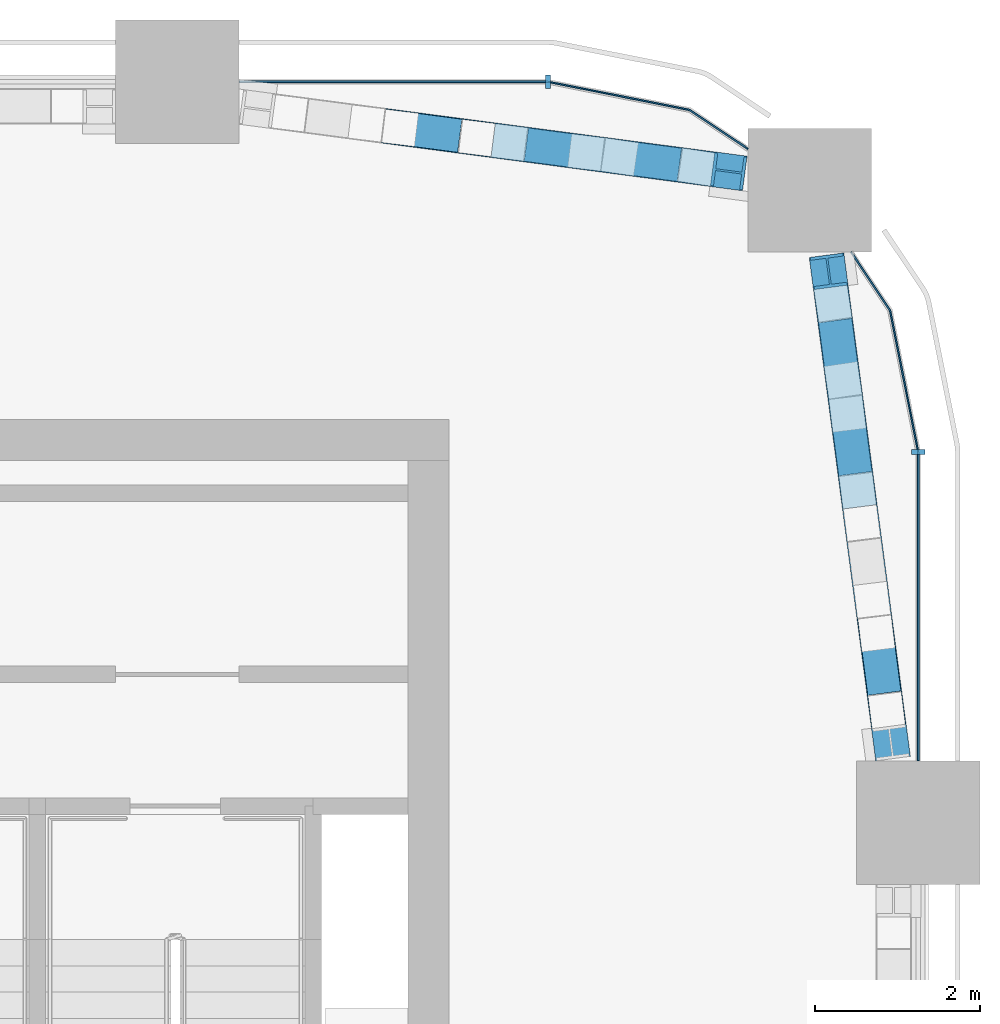
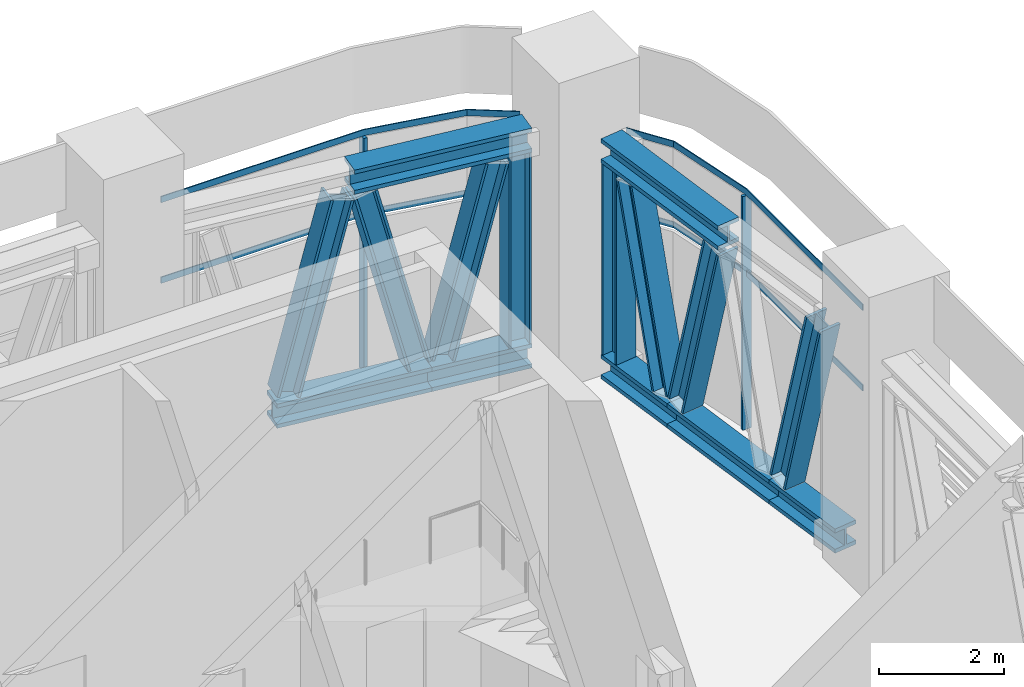
# One storey, part 7 of 19: 21 members, 2 elements without a shape of their own.
"""IFC4 building model written with IfcOpenShell, lengths in metres."""

from ifc_helpers import new_model, si_unit, direction, frame, origin, origin_2d, place, context, subcontext, project, spatial, polyline, rectangle, i_section, outline, extrude, material, material_profile, profile_set, type_object, element, aggregate, save


model = new_model("IFC4")

# Units and contexts
model_context = context("Model", 3, precision=1e-05, world=origin(), true_north=direction((0.0, 1.0)))
body_context = subcontext(model_context, "Body", "Model", "MODEL_VIEW")
ifc_project = project(units=[si_unit("LENGTHUNIT", "METRE"), si_unit("AREAUNIT", "SQUARE_METRE"), si_unit("VOLUMEUNIT", "CUBIC_METRE"), si_unit("PLANEANGLEUNIT", "RADIAN"), si_unit("MASSUNIT", "GRAM", prefix="KILO")], contexts=[model_context])

# Site, building, storey
site_placement = place(None, origin())
site = spatial("IfcSite", under=ifc_project, at=site_placement, CompositionType="ELEMENT")
building_placement = place(site_placement, origin())
building = spatial("IfcBuilding", under=site, at=building_placement, Name="Tessera Arch", CompositionType="ELEMENT")
storey_placement = place(building_placement, frame((0.0, 0.0, 197.300048828125)))
storey = spatial("IfcBuildingStorey", under=building, at=storey_placement, Name="L47", CompositionType="ELEMENT", Elevation=197.300048828125)

# Curtain wall, member
ifc_material_1 = material(Name="CW7 curtain wall")
curtain_wall_type = type_object("IfcCurtainWallType", Name="CW7 curtain wall", PredefinedType="NOTDEFINED", material=ifc_material_1)
curtain_wall_1_placement = place(storey_placement, origin())
curtain_wall_1 = element("IfcCurtainWall", 1, at=curtain_wall_1_placement, inside=storey, type_object=curtain_wall_type, Name="CW7 curtain wall E54.27/1 L47", PredefinedType="NOTDEFINED")
ifc_material_2 = material(Name="Anodised aluminium pale metal", Category="aluminium")
ifc_material_profile_1 = material_profile(ifc_material_2, rectangle(XDim=0.159912109375, YDim=0.06005859375, at=origin_2d()), Name="AL 60x160")
ifc_profile_set_1 = profile_set([ifc_material_profile_1], Name="Anodised aluminium pale metal")
member_type_1 = type_object("IfcMemberType", Name="CW7 mullion", PredefinedType="MULLION", material=ifc_profile_set_1)
member_1_placement = place(storey_placement, frame((54.0, 49.5, 0.0), z_axis=(0.0, 0.0, 1.0), x_axis=(-1.0, 0.0, 0.0)))
member_1 = element("IfcMember", 2, at=member_1_placement, type_object=member_type_1, Name="CW7 mullion E54.27/1 1", PredefinedType="MULLION", context=body_context, shape_type="SweptSolid", body=[
    extrude(rectangle(XDim=0.159912109375, YDim=0.06005859375, at=origin_2d()), origin(), (0.0, 0.0, 1.0), 4.579833984375),
])

curtain_wall_2_placement = place(storey_placement, origin())
curtain_wall_2 = element("IfcCurtainWall", 3, at=curtain_wall_2_placement, inside=storey, type_object=curtain_wall_type, Name="CW7 curtain wall N54.0/0 L47", PredefinedType="NOTDEFINED")
member_2_placement = place(storey_placement, frame((49.5, 54.0, 0.0), z_axis=(0.0, 0.0, 1.0), x_axis=(0.0, -1.0, 0.0)))
member_2 = element("IfcMember", 4, at=member_2_placement, type_object=member_type_1, Name="CW7 mullion N54.0/0 1", PredefinedType="MULLION", context=body_context, shape_type="SweptSolid", body=[
    extrude(rectangle(XDim=0.159912109375, YDim=0.06005859375, at=origin_2d()), origin(), (0.0, 0.0, 1.0), 4.579833984375),
])

# Member
ifc_material_3 = material(Name="Anodised aluminium pale metal", Category="aluminium")
ifc_material_profile_2 = material_profile(ifc_material_3, rectangle(XDim=0.159912109375, YDim=0.1201171875, at=origin_2d()), Name="AL 160x120")
ifc_profile_set_2 = profile_set([ifc_material_profile_2], Name="Anodised aluminium pale metal")
member_type_2 = type_object("IfcMemberType", Name="CW7 transom", PredefinedType="USERDEFINED", material=ifc_profile_set_2)
member_3_placement = place(storey_placement, frame((0.0, 0.0, 3.0)))
member_3 = element("IfcMember", 5, at=member_3_placement, type_object=member_type_2, Name="CW7 transom E54.27/1 1", ObjectType="TRANSOM", PredefinedType="USERDEFINED", context=body_context, shape_type="SweptSolid", body=[
    extrude(outline(polyline([(53.989990234375, 49.4990234375), (53.989990234375, 45.75), (54.010009765625, 45.75), (54.010009765625, 49.5009765625), (53.6669921875, 51.22607421875), (53.19140625, 51.9375), (53.1748046875, 51.926513671875), (53.648193359375, 51.21826171875), (53.989990234375, 49.4990234375)])), origin(), (0.0, 0.0, 1.0), 0.119873046875),
])

member_4_placement = place(storey_placement, frame((0.0, 0.0, 4.579833984375)))
member_4 = element("IfcMember", 6, at=member_4_placement, type_object=member_type_2, Name="CW7 transom E54.27/1 2", ObjectType="TRANSOM", PredefinedType="USERDEFINED", context=body_context, shape_type="SweptSolid", body=[
    extrude(outline(polyline([(53.989990234375, 49.4990234375), (53.989990234375, 45.75), (54.010009765625, 45.75), (54.010009765625, 49.5009765625), (53.6669921875, 51.22607421875), (53.19140625, 51.9375), (53.1748046875, 51.926513671875), (53.648193359375, 51.21826171875), (53.989990234375, 49.4990234375)])), origin(), (0.0, 0.0, 1.0), 0.1201171875),
])

aggregate(curtain_wall_1, [member_1, member_3, member_4])

member_5_placement = place(storey_placement, frame((0.0, 0.0, 3.0)))
member_5 = element("IfcMember", 7, at=member_5_placement, type_object=member_type_2, Name="CW7 transom N54.0/0 1", ObjectType="TRANSOM", PredefinedType="USERDEFINED", context=body_context, shape_type="SweptSolid", body=[
    extrude(outline(polyline([(51.21826171875, 53.648193359375), (51.926513671875, 53.1748046875), (51.9375, 53.19140625), (51.22607421875, 53.6669921875), (49.5009765625, 54.010009765625), (45.75, 54.010009765625), (45.75, 53.989990234375), (49.4990234375, 53.989990234375), (51.21826171875, 53.648193359375)])), origin(), (0.0, 0.0, 1.0), 0.119873046875),
])

member_6_placement = place(storey_placement, frame((0.0, 0.0, 4.579833984375)))
member_6 = element("IfcMember", 8, at=member_6_placement, type_object=member_type_2, Name="CW7 transom N54.0/0 2", ObjectType="TRANSOM", PredefinedType="USERDEFINED", context=body_context, shape_type="SweptSolid", body=[
    extrude(outline(polyline([(51.21826171875, 53.648193359375), (51.926513671875, 53.1748046875), (51.9375, 53.19140625), (51.22607421875, 53.6669921875), (49.5009765625, 54.010009765625), (45.75, 54.010009765625), (45.75, 53.989990234375), (49.4990234375, 53.989990234375), (51.21826171875, 53.648193359375)])), origin(), (0.0, 0.0, 1.0), 0.1201171875),
])

aggregate(curtain_wall_2, [member_2, member_5, member_6])

# Members
ifc_material_4 = material(Name="Steel A992 Gr50", Category="steel")
ifc_material_profile_3 = material_profile(ifc_material_4, i_section(OverallWidth=0.424072265625, OverallDepth=0.47412109375, WebThickness=0.047607421875, FlangeThickness=0.0771484375, at=origin_2d()), Name="W14x426")
ifc_profile_set_3 = profile_set([ifc_material_profile_3], Name="Steel A992 Gr50")
member_type_3 = type_object("IfcMemberType", Name="Truss chord W14x426", PredefinedType="CHORD", material=ifc_profile_set_3)
member_7_placement = place(storey_placement, frame((53.289794921875, 48.835205078125, 4.462890625), z_axis=(-0.131017644373, 0.991380036546, 0.0), x_axis=(-0.991380036546, -0.131017644373, 0.0)))
element("IfcMember", 9, at=member_7_placement, inside=storey, type_object=member_type_3, Name="Belt truss top chord 2", PredefinedType="CHORD", context=body_context, shape_type="SweptSolid", body=[
    extrude(i_section(OverallWidth=0.424072265625, OverallDepth=0.47412109375, WebThickness=0.047607421875, FlangeThickness=0.0771484375, at=origin_2d()), origin(), (0.0, 0.0, 1.0), 3.083984375),
])
member_8_placement = place(storey_placement, frame((53.69384765625, 45.77783203125, 0.237060546875), z_axis=(-0.131133639692, 0.991364700068, 0.0), x_axis=(-0.991364700068, -0.131133639692, 0.0)))
element("IfcMember", 10, at=member_8_placement, inside=storey, type_object=member_type_3, Name="Belt truss bottom chord 1", PredefinedType="CHORD", context=body_context, shape_type="SweptSolid", body=[
    extrude(i_section(OverallWidth=0.424072265625, OverallDepth=0.47412109375, WebThickness=0.047607421875, FlangeThickness=0.0771484375, at=origin_2d()), origin(), (0.0, 0.0, 1.0), 1.739013671875),
])
member_9_placement = place(storey_placement, frame((53.4658203125, 47.501708984375, 0.237060546875), z_axis=(-0.13095688187, 0.991388064832, 0.0), x_axis=(-0.991388064832, -0.13095688187, 0.0)))
element("IfcMember", 11, at=member_9_placement, inside=storey, type_object=member_type_3, Name="Belt truss bottom chord 2", PredefinedType="CHORD", context=body_context, shape_type="SweptSolid", body=[
    extrude(i_section(OverallWidth=0.424072265625, OverallDepth=0.47412109375, WebThickness=0.047607421875, FlangeThickness=0.0771484375, at=origin_2d()), origin(), (0.0, 0.0, 1.0), 2.690185546875),
])
member_10_placement = place(storey_placement, frame((53.113525390625, 50.168701171875, 0.237060546875), z_axis=(-0.130995650163, 0.991382942983, 0.0), x_axis=(-0.991382942983, -0.130995650163, 0.0)))
element("IfcMember", 12, at=member_10_placement, inside=storey, type_object=member_type_3, Name="Belt truss bottom chord 3", PredefinedType="CHORD", context=body_context, shape_type="SweptSolid", body=[
    extrude(i_section(OverallWidth=0.424072265625, OverallDepth=0.47412109375, WebThickness=0.047607421875, FlangeThickness=0.0771484375, at=origin_2d()), origin(), (0.0, 0.0, 1.0), 1.73876953125),
])
member_11_placement = place(storey_placement, frame((51.892578125, 52.8857421875, 4.462890625), z_axis=(-0.991380036546, 0.131017644373, 0.0), x_axis=(-0.131017644373, -0.991380036546, 0.0)))
element("IfcMember", 13, at=member_11_placement, inside=storey, type_object=member_type_3, Name="Belt truss top chord 1", PredefinedType="CHORD", context=body_context, shape_type="SweptSolid", body=[
    extrude(i_section(OverallWidth=0.424072265625, OverallDepth=0.47412109375, WebThickness=0.047607421875, FlangeThickness=0.0771484375, at=origin_2d()), origin(), (0.0, 0.0, 1.0), 3.083984375),
])
member_12_placement = place(storey_placement, frame((51.892578125, 52.8857421875, 0.237060546875), z_axis=(-0.991382942983, 0.130995650163, 0.0), x_axis=(-0.130995650163, -0.991382942983, 0.0)))
element("IfcMember", 14, at=member_12_placement, inside=storey, type_object=member_type_3, Name="Belt truss bottom chord 1", PredefinedType="CHORD", context=body_context, shape_type="SweptSolid", body=[
    extrude(i_section(OverallWidth=0.424072265625, OverallDepth=0.47412109375, WebThickness=0.047607421875, FlangeThickness=0.0771484375, at=origin_2d()), origin(), (0.0, 0.0, 1.0), 1.73876953125),
])
member_13_placement = place(storey_placement, frame((50.168701171875, 53.113525390625, 0.237060546875), z_axis=(-0.991388064832, 0.13095688187, 0.0), x_axis=(-0.13095688187, -0.991388064832, 0.0)))
element("IfcMember", 15, at=member_13_placement, inside=storey, type_object=member_type_3, Name="Belt truss bottom chord 2", PredefinedType="CHORD", context=body_context, shape_type="SweptSolid", body=[
    extrude(i_section(OverallWidth=0.424072265625, OverallDepth=0.47412109375, WebThickness=0.047607421875, FlangeThickness=0.0771484375, at=origin_2d()), origin(), (0.0, 0.0, 1.0), 2.690185546875),
])
ifc_material_5 = material(Name="Steel A992 Gr50", Category="steel")
ifc_material_profile_4 = material_profile(ifc_material_5, i_section(OverallWidth=0.406494140625, OverallDepth=0.41650390625, WebThickness=0.030029296875, FlangeThickness=0.048095703125, at=origin_2d()), Name="W14x257")
ifc_profile_set_4 = profile_set([ifc_material_profile_4], Name="Steel A992 Gr50")
member_type_4 = type_object("IfcMemberType", Name="Truss diagonal W14x257", PredefinedType="BRACE", material=ifc_profile_set_4)
for number, where, z_axis, x_axis, name in (
    (16, (53.615234375, 46.372314453125, 4.15625), (-0.032782850795, 0.247867143338, -0.96823920802), (-0.991366776688, -0.131117939578, 0.0), "Belt truss diagonal 1"),
    (17, (53.2626953125, 49.03955078125, 4.15625), (-0.032782850795, 0.247867143338, -0.96823920802), (-0.991366776688, -0.131117939578, 0.0), "Belt truss diagonal 3"),
    (18, (53.08642578125, 50.373291015625, 0.543701171875), (-0.032717486077, 0.247867674519, 0.968241282963), (-0.991400763432, -0.13086071323, 0.0), "Belt truss diagonal 4"),
    (19, (51.298095703125, 52.96435546875, 4.15625), (-0.247867674519, 0.032717486077, -0.968241282963), (-0.13086071323, -0.991400763432, 0.0), "Belt truss diagonal 1"),
    (20, (49.96435546875, 53.140380859375, 0.543701171875), (-0.247867143338, 0.032782850795, 0.96823920802), (-0.131117939578, -0.991366776688, 0.0), "Belt truss diagonal 2"),
    (21, (48.630859375, 53.316650390625, 4.15625), (-0.247867143338, 0.032782850795, -0.96823920802), (-0.131117939578, -0.991366776688, 0.0), "Belt truss diagonal 3"),
):
    element("IfcMember", number, at=place(storey_placement, frame(where, z_axis=z_axis, x_axis=x_axis)), inside=storey, type_object=member_type_4, Name=name, PredefinedType="BRACE", context=body_context, shape_type="SweptSolid", body=[
        extrude(i_section(OverallWidth=0.406494140625, OverallDepth=0.41650390625, WebThickness=0.030029296875, FlangeThickness=0.048095703125, at=origin_2d()), origin(), (0.0, 0.0, 1.0), 3.73095703125),
    ])
ifc_material_6 = material(Name="Steel A992 Gr50", Category="steel")
ifc_material_profile_5 = material_profile(ifc_material_6, i_section(OverallWidth=0.398681640625, OverallDepth=0.393798828125, WebThickness=0.022705078125, FlangeThickness=0.03662109375, at=origin_2d()), Name="W14x193")
ifc_profile_set_5 = profile_set([ifc_material_profile_5], Name="Steel A992 Gr50")
member_type_5 = type_object("IfcMemberType", Name="Truss post W14x193", PredefinedType="POST", material=ifc_profile_set_5)
for number, where, z_axis, x_axis, name in (
    (22, (52.911376953125, 51.697509765625, 0.47412109375), (0.0, 0.0, 1.0), (0.991381984675, 0.131002902497, 0.0), "Belt truss end post 2"),
    (23, (51.697509765625, 52.911376953125, 0.47412109375), (0.0, 0.0, 1.0), (0.131002902497, 0.991381984675, 0.0), "Belt truss end post 1"),
):
    element("IfcMember", number, at=place(storey_placement, frame(where, z_axis=z_axis, x_axis=x_axis)), inside=storey, type_object=member_type_5, Name=name, PredefinedType="POST", context=body_context, shape_type="SweptSolid", body=[
        extrude(i_section(OverallWidth=0.398681640625, OverallDepth=0.393798828125, WebThickness=0.022705078125, FlangeThickness=0.03662109375, at=origin_2d()), origin(), (0.0, 0.0, 1.0), 3.751708984375),
    ])

save(model, "model.ifc")
